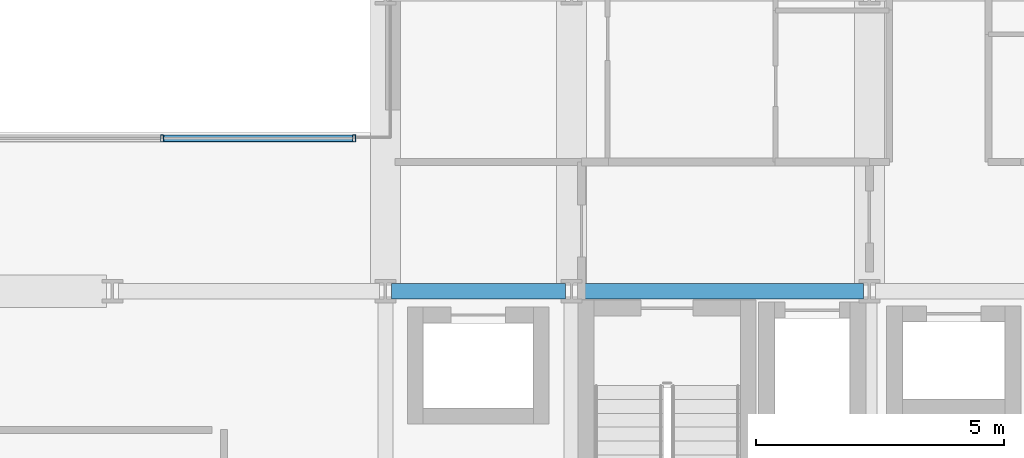
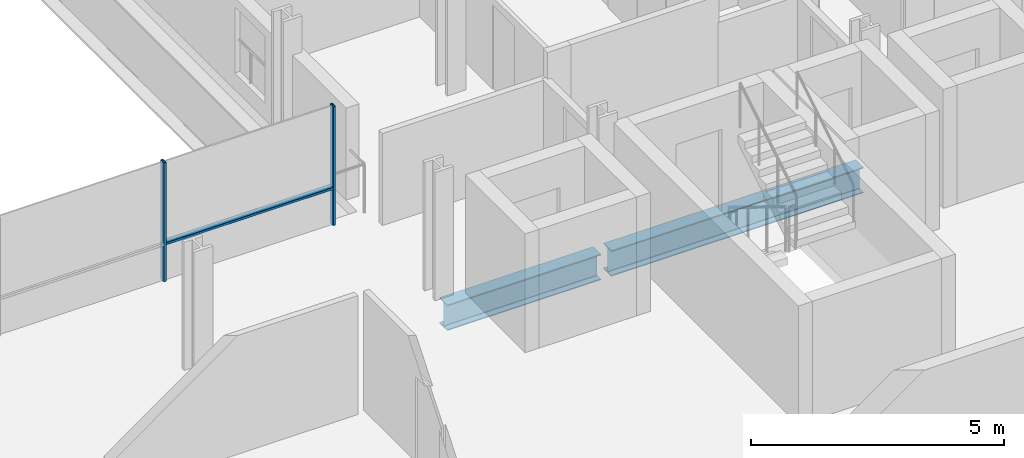
# One storey, part 13 of 38: 3 members, 2 beams, 1 element without a shape of its own.
"""IFC4 building model written with IfcOpenShell, lengths in metres."""

from ifc_helpers import new_model, si_unit, direction, frame, origin, origin_2d, place, context, subcontext, project, spatial, hollow_rectangle, i_section, extrude, material, layer, layer_set, material_profile, profile_set, type_object, element, aggregate, save


model = new_model("IFC4")

# Units and contexts
model_context = context("Model", 3, precision=1e-05, world=origin(), true_north=direction((0.0, 1.0)))
body_context = subcontext(model_context, "Body", "Model", "MODEL_VIEW")
ifc_project = project(units=[si_unit("LENGTHUNIT", "METRE"), si_unit("AREAUNIT", "SQUARE_METRE"), si_unit("VOLUMEUNIT", "CUBIC_METRE"), si_unit("PLANEANGLEUNIT", "RADIAN"), si_unit("MASSUNIT", "GRAM", prefix="KILO")], contexts=[model_context])

# Site, building, storey
site_placement = place(None, origin())
site = spatial("IfcSite", under=ifc_project, at=site_placement, CompositionType="ELEMENT")
building_placement = place(site_placement, origin())
building = spatial("IfcBuilding", under=site, at=building_placement, Name="Brevholm Reach", CompositionType="ELEMENT")
storey_placement = place(building_placement, frame((0.0, 0.0, 28.0)))
storey = spatial("IfcBuildingStorey", under=building, at=storey_placement, Name="L06", CompositionType="ELEMENT", Elevation=28.0)

# Beams
ifc_material_1 = material(Name="Structural Steel S355J2", Category="steel")
ifc_material_profile_1 = material_profile(ifc_material_1, i_section(OverallWidth=0.30712890625, OverallDepth=0.6201171875, WebThickness=0.01416015625, FlangeThickness=0.023681640625, FilletRadius=0.0166015625, at=origin_2d()), Name="UKB 610x305x179")
ifc_profile_set_1 = profile_set([ifc_material_profile_1], Name="Structural Steel S355J2")
beam_type = type_object("IfcBeamType", Name="BM-UKB610H", PredefinedType="USERDEFINED", material=ifc_profile_set_1)
beam_1_placement = place(storey_placement, frame((38.3701171875, 10.0, -0.580078125), z_axis=(1.0, 0.0, 0.0), x_axis=(0.0, 1.0, 0.0)))
element("IfcBeam", 1, at=beam_1_placement, inside=storey, type_object=beam_type, Name="L06 G-06 Framing Beam", ObjectType="GIRDER", PredefinedType="USERDEFINED", context=body_context, shape_type="SweptSolid", body=[
    extrude(i_section(OverallWidth=0.30712890625, OverallDepth=0.6201171875, WebThickness=0.01416015625, FlangeThickness=0.023681640625, FilletRadius=0.0166015625, at=origin_2d()), origin(), (0.0, 0.0, 1.0), 3.509765625),
])
beam_2_placement = place(storey_placement, frame((42.1201171875, 10.0, -0.580078125), z_axis=(1.0, 0.0, 0.0), x_axis=(0.0, 1.0, 0.0)))
element("IfcBeam", 2, at=beam_2_placement, inside=storey, type_object=beam_type, Name="L06 G-06 Framing Beam", ObjectType="GIRDER", PredefinedType="USERDEFINED", context=body_context, shape_type="SweptSolid", body=[
    extrude(i_section(OverallWidth=0.30712890625, OverallDepth=0.6201171875, WebThickness=0.01416015625, FlangeThickness=0.023681640625, FilletRadius=0.0166015625, at=origin_2d()), origin(), (0.0, 0.0, 1.0), 5.759765625),
])

# Curtain wall, members
ifc_material_2 = material(Name="Dark Anodised Aluminium 6063-T6 and Solar-Control Glass", Category="aluminium")
ifc_layer = layer(ifc_material_2, 0.139892578125)
ifc_layer_set = layer_set([ifc_layer], Name="Dark Anodised Aluminium 6063-T6 and Solar-Control Glass")
curtain_wall_type = type_object("IfcCurtainWallType", Name="CW-02", PredefinedType="NOTDEFINED", material=ifc_layer_set)
curtain_wall_placement = place(storey_placement, origin())
curtain_wall = element("IfcCurtainWall", 3, at=curtain_wall_placement, inside=storey, type_object=curtain_wall_type, Name="L06 Curtain Wall CW-02", PredefinedType="NOTDEFINED")
ifc_material_3 = material(Name="Dark Anodised Aluminium 6063-T6", Category="aluminium")
ifc_material_profile_2 = material_profile(ifc_material_3, hollow_rectangle(XDim=0.06005859375, YDim=0.139892578125, WallThickness=0.0048828125, InnerFilletRadius=0.0048828125, OuterFilletRadius=0.010009765625, at=origin_2d()), Name="RHS 140x60x5")
ifc_profile_set_2 = profile_set([ifc_material_profile_2], Name="Dark Anodised Aluminium 6063-T6")
member_type_1 = type_object("IfcMemberType", Name="CWM-140", PredefinedType="MULLION", material=ifc_profile_set_2)
member_1_placement = place(storey_placement, frame((33.75, 13.080078125, 0.0), z_axis=(0.0, 0.0, 1.0), x_axis=(1.0, 0.0, 0.0)))
member_1 = element("IfcMember", 4, at=member_1_placement, type_object=member_type_1, Name="CM-140 Mullion 4", PredefinedType="MULLION", context=body_context, shape_type="SweptSolid", body=[
    extrude(hollow_rectangle(XDim=0.06005859375, YDim=0.139892578125, WallThickness=0.0048828125, InnerFilletRadius=0.0048828125, OuterFilletRadius=0.010009765625, at=origin_2d()), origin(), (0.0, 0.0, 1.0), 2.8701171875),
])
member_2_placement = place(storey_placement, frame((37.6201171875, 13.080078125, 0.0), z_axis=(0.0, 0.0, 1.0), x_axis=(1.0, 0.0, 0.0)))
member_2 = element("IfcMember", 5, at=member_2_placement, type_object=member_type_1, Name="CM-140 Mullion 5", PredefinedType="MULLION", context=body_context, shape_type="SweptSolid", body=[
    extrude(hollow_rectangle(XDim=0.06005859375, YDim=0.139892578125, WallThickness=0.0048828125, InnerFilletRadius=0.0048828125, OuterFilletRadius=0.010009765625, at=origin_2d()), origin(), (0.0, 0.0, 1.0), 2.8701171875),
])
ifc_material_4 = material(Name="Dark Anodised Aluminium 6063-T6", Category="aluminium")
ifc_material_profile_3 = material_profile(ifc_material_4, hollow_rectangle(XDim=0.06005859375, YDim=0.139892578125, WallThickness=0.0048828125, InnerFilletRadius=0.0048828125, OuterFilletRadius=0.010009765625, at=origin_2d()), Name="RHS 140x60x5")
ifc_profile_set_3 = profile_set([ifc_material_profile_3], Name="Dark Anodised Aluminium 6063-T6")
member_type_2 = type_object("IfcMemberType", Name="CWT-140", PredefinedType="NOTDEFINED", material=ifc_profile_set_3)
member_3_placement = place(storey_placement, frame((33.780029296875, 13.080078125, 0.89990234375), z_axis=(1.0, 0.0, 0.0), x_axis=(0.0, 0.0, 1.0)))
member_3 = element("IfcMember", 6, at=member_3_placement, type_object=member_type_2, Name="CT-140 Transom 4.1", ObjectType="TRANSOM", PredefinedType="USERDEFINED", context=body_context, shape_type="SweptSolid", body=[
    extrude(hollow_rectangle(XDim=0.06005859375, YDim=0.139892578125, WallThickness=0.0048828125, InnerFilletRadius=0.0048828125, OuterFilletRadius=0.010009765625, at=origin_2d()), origin(), (0.0, 0.0, 1.0), 3.81005859375),
])
aggregate(curtain_wall, [member_1, member_2, member_3])

save(model, "model.ifc")
